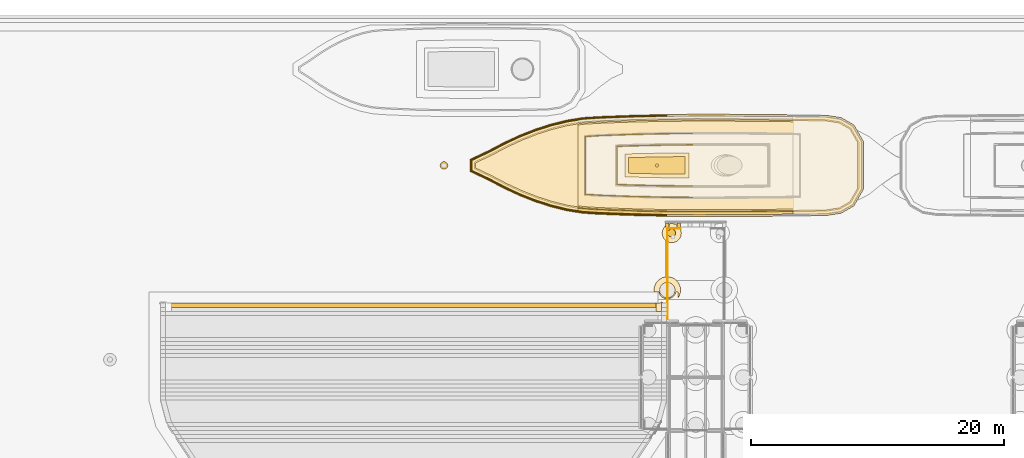
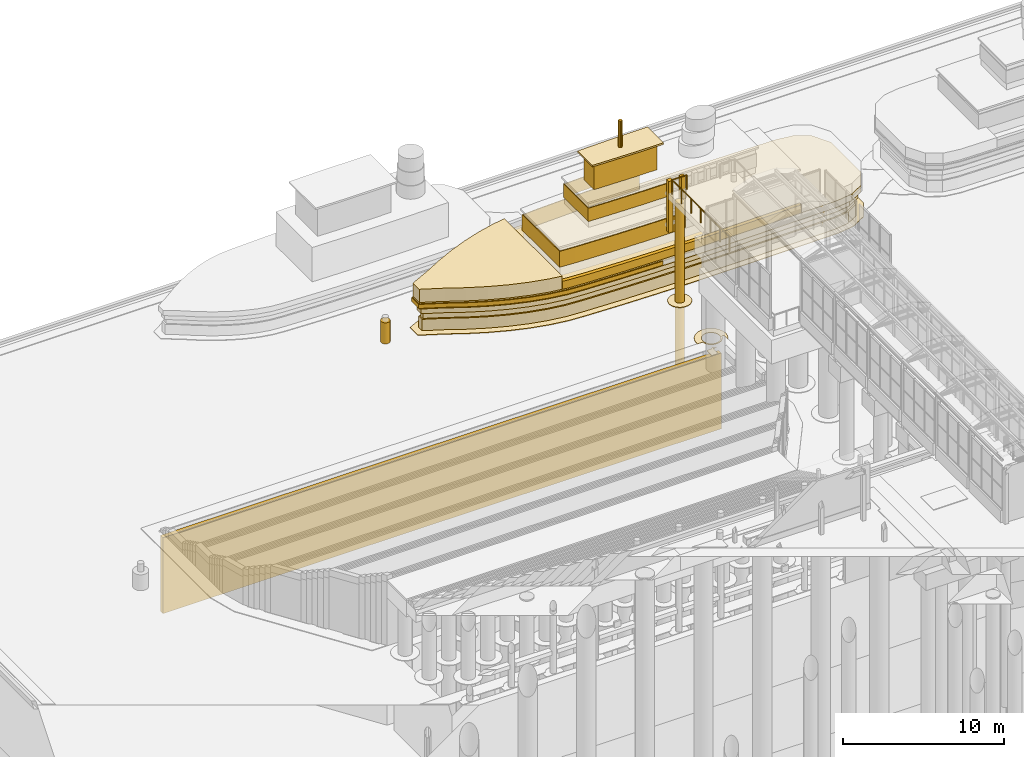
# One storey, part 182 of 222: 21 coverings, 2 railings.
"""IFC4 building model written with IfcOpenShell, lengths in metres."""

from ifc_helpers import new_model, si_unit, direction, frame, origin, origin_2d, place, context, subcontext, project, spatial, polyline, rectangle, circle, outline, extrude, material, layer, layer_set, type_object, element, save


model = new_model("IFC4")

# Units and contexts
model_context = context("Model", 3, precision=1e-05, world=origin(), true_north=direction((0.0, 1.0)))
body_context = subcontext(model_context, "Body", "Model", "MODEL_VIEW")
ifc_project = project(units=[si_unit("LENGTHUNIT", "METRE"), si_unit("AREAUNIT", "SQUARE_METRE"), si_unit("VOLUMEUNIT", "CUBIC_METRE"), si_unit("PLANEANGLEUNIT", "RADIAN"), si_unit("MASSUNIT", "GRAM", prefix="KILO")], contexts=[model_context])

# Site, building, storey
site_placement = place(None, origin())
site = spatial("IfcSite", under=ifc_project, at=site_placement, CompositionType="ELEMENT")
building_placement = place(site_placement, origin())
building = spatial("IfcBuilding", under=site, at=building_placement, Name="Sava Quay Ferry Terminal", CompositionType="ELEMENT")
storey_placement = place(building_placement, origin())
storey = spatial("IfcBuildingStorey", under=building, at=storey_placement, Name="L00", CompositionType="ELEMENT", Elevation=0.0)

# Covering
ifc_material_1 = material(Name="Steel S355", Category="steel")
ifc_layer_1 = layer(ifc_material_1, 0.030029296875)
ifc_layer_set_1 = layer_set([ifc_layer_1], Name="Steel S355")
covering_type_1 = type_object("IfcCoveringType", Name="Berth mooring dolphin 610", PredefinedType="CLADDING", material=ifc_layer_set_1)
covering_1_placement = place(storey_placement, frame((46.39990234375, 150.0, -0.449951171875), z_axis=(0.0, 0.0, -1.0), x_axis=(1.0, 0.0, 0.0)))
element("IfcCovering", 1, at=covering_1_placement, inside=storey, type_object=covering_type_1, Name="Berth mooring dolphin", PredefinedType="CLADDING", context=body_context, shape_type="SweptSolid", body=[
    extrude(circle(Radius=0.304931640625, at=origin_2d()), origin(), (0.0, 0.0, 1.0), 14.550048828125),
])

# Railings
ifc_material_2 = material(Name="Steel S355", Category="steel")
railing_type = type_object("IfcRailingType", Name="Edge guard 1100", PredefinedType="GUARDRAIL", material=ifc_material_2)
railing_1_placement = place(storey_placement, frame((46.050048828125, 143.199951171875, 0.0)))
element("IfcRailing", 2, at=railing_1_placement, inside=storey, type_object=railing_type, Name="Berth guard west side", PredefinedType="GUARDRAIL", context=body_context, shape_type="SweptSolid", body=[
    extrude(circle(Radius=0.02392578125, at=origin_2d()), frame((0.0, 0.0, 1.076171875), z_axis=(0.0, 1.0, 0.0), x_axis=(-1.0, 0.0, 0.0)), (0.0, 0.0, 1.0), 7.150146484375),
    extrude(circle(Radius=0.02099609375, at=origin_2d()), origin(), (0.0, 0.0, 1.0), 1.052001953125),
    extrude(circle(Radius=0.02099609375, at=origin_2d()), frame((0.0, 1.191650390625, 0.0)), (0.0, 0.0, 1.0), 1.052001953125),
    extrude(circle(Radius=0.02099609375, at=origin_2d()), frame((0.0, 2.38330078125, 0.0)), (0.0, 0.0, 1.0), 1.052001953125),
    extrude(circle(Radius=0.02099609375, at=origin_2d()), frame((0.0, 3.5751953125, 0.0)), (0.0, 0.0, 1.0), 1.052001953125),
    extrude(circle(Radius=0.02099609375, at=origin_2d()), frame((0.0, 4.766845703125, 0.0)), (0.0, 0.0, 1.0), 1.052001953125),
    extrude(circle(Radius=0.02099609375, at=origin_2d()), frame((0.0, 5.95849609375, 0.0)), (0.0, 0.0, 1.0), 1.052001953125),
    extrude(circle(Radius=0.02099609375, at=origin_2d()), frame((0.0, 7.150146484375, 0.0)), (0.0, 0.0, 1.0), 1.052001953125),
])
railing_2_placement = place(storey_placement, frame((46.050048828125, 150.35009765625, 0.0)))
element("IfcRailing", 3, at=railing_2_placement, inside=storey, type_object=railing_type, Name="Berth guard outer edge west", PredefinedType="GUARDRAIL", context=body_context, shape_type="SweptSolid", body=[
    extrude(circle(Radius=0.02392578125, at=origin_2d()), frame((0.0, 0.0, 1.076171875), z_axis=(1.0, 0.0, 0.0), x_axis=(0.0, 1.0, 0.0)), (0.0, 0.0, 1.0), 1.050048828125),
    extrude(circle(Radius=0.02099609375, at=origin_2d()), origin(), (0.0, 0.0, 1.0), 1.052001953125),
    extrude(circle(Radius=0.02099609375, at=origin_2d()), frame((1.050048828125, 0.0, 0.0)), (0.0, 0.0, 1.0), 1.052001953125),
])

# Coverings
ifc_material_3 = material(Name="Greenheart timber", Category="wood")
ifc_layer_2 = layer(ifc_material_3, 0.300048828125)
ifc_layer_set_2 = layer_set([ifc_layer_2], Name="Greenheart timber")
covering_type_2 = type_object("IfcCoveringType", Name="Fender post 300", PredefinedType="CLADDING", material=ifc_layer_set_2)
for number, where, z_axis, x_axis, name in (
    (4, (46.050048828125, 150.64990234375, -3.0), (0.0, 0.0, 1.0), (1.0, 0.0, 0.0), "Fender post"),
    (5, (46.949951171875, 150.64990234375, -3.0), (0.0, 0.0, 1.0), (1.0, 0.0, 0.0), "Fender post"),
):
    element("IfcCovering", number, at=place(storey_placement, frame(where, z_axis=z_axis, x_axis=x_axis)), inside=storey, type_object=covering_type_2, Name=name, PredefinedType="CLADDING", context=body_context, shape_type="SweptSolid", body=[
        extrude(rectangle(XDim=0.300048828125, YDim=0.300048828125, at=origin_2d()), origin(), (0.0, 0.0, 1.0), 3.89990234375),
    ])
ifc_material_4 = material(Name="Timber", Category="wood")
ifc_layer_3 = layer(ifc_material_4, 0.60009765625)
ifc_layer_set_3 = layer_set([ifc_layer_3], Name="Timber")
covering_type_3 = type_object("IfcCoveringType", Name="Harbour dolphin post 600", PredefinedType="CLADDING", material=ifc_layer_set_3)
covering_2_placement = place(storey_placement, frame((28.39990234375, 155.35009765625, -6.39990234375), z_axis=(0.0, 0.0, -1.0), x_axis=(1.0, 0.0, 0.0)))
element("IfcCovering", 6, at=covering_2_placement, inside=storey, type_object=covering_type_3, Name="Mooring dolphin post", PredefinedType="CLADDING", context=body_context, shape_type="SweptSolid", body=[
    extrude(circle(Radius=0.300048828125, at=origin_2d()), origin(), (0.0, 0.0, 1.0), 1.60009765625),
])
ifc_material_5 = material(Name="Water")
ifc_layer_4 = layer(ifc_material_5, 0.0400390625)
ifc_layer_set_4 = layer_set([ifc_layer_4], Name="Water")
covering_type_4 = type_object("IfcCoveringType", Name="River foam collar", PredefinedType="CLADDING", material=ifc_layer_set_4)
covering_3_placement = place(storey_placement, frame((0.0, 0.0, -8.0)))
element("IfcCovering", 7, at=covering_3_placement, inside=storey, type_object=covering_type_4, Name="River foam collar", PredefinedType="CLADDING", context=body_context, shape_type="SweptSolid", body=[
    extrude(outline(polyline([(59.783935546875, 151.56689453125), (60.802978515625, 152.14599609375), (61.550048828125, 153.4541015625), (61.550048828125, 157.24609375), (60.802978515625, 158.553955078125), (59.783935546875, 159.133056640625), (58.64599609375, 159.30810546875), (56.035888671875, 159.34912109375), (53.4619140625, 159.376953125), (50.887939453125, 159.39501953125), (48.31298828125, 159.39990234375), (45.73388671875, 159.3798828125), (43.155029296875, 159.321044921875), (40.572021484375, 159.22412109375), (39.337890625, 159.14306640625), (38.090087890625, 158.93994140625), (36.85009765625, 158.635986328125), (35.614990234375, 158.238037109375), (34.384033203125, 157.75390625), (33.156005859375, 157.18701171875), (31.952880859375, 156.552001953125), (30.449951171875, 155.837890625), (30.449951171875, 154.862060546875), (31.952880859375, 154.14794921875), (33.156005859375, 153.512939453125), (34.384033203125, 152.946044921875), (35.614990234375, 152.4619140625), (36.85009765625, 152.06396484375), (38.090087890625, 151.760009765625), (39.337890625, 151.556884765625), (40.572021484375, 151.47607421875), (43.155029296875, 151.37890625), (45.73388671875, 151.320068359375), (48.31298828125, 151.300048828125), (50.887939453125, 151.304931640625), (53.4619140625, 151.322998046875), (56.035888671875, 151.35107421875), (58.64599609375, 151.39208984375), (59.783935546875, 151.56689453125)]), holes=[polyline([(58.60791015625, 158.85791015625), (59.633056640625, 158.700927734375), (60.472900390625, 158.222900390625), (61.10009765625, 157.126953125), (61.10009765625, 153.572998046875), (60.472900390625, 152.47705078125), (59.633056640625, 151.9990234375), (58.60791015625, 151.842041015625), (56.030029296875, 151.801025390625), (53.4580078125, 151.77294921875), (50.885986328125, 151.7548828125), (48.31396484375, 151.75), (45.740966796875, 151.77001953125), (43.16796875, 151.8291015625), (40.594970703125, 151.925048828125), (39.388916015625, 152.00390625), (38.179931640625, 152.200927734375), (36.972900390625, 152.498046875), (35.76611328125, 152.885986328125), (34.56103515625, 153.360107421875), (33.35595703125, 153.916015625), (32.155029296875, 154.550048828125), (30.89990234375, 155.14697265625), (30.89990234375, 155.552978515625), (32.155029296875, 156.14990234375), (33.35595703125, 156.783935546875), (34.56103515625, 157.340087890625), (35.76611328125, 157.81396484375), (36.972900390625, 158.201904296875), (38.179931640625, 158.4990234375), (39.388916015625, 158.696044921875), (40.594970703125, 158.77490234375), (43.16796875, 158.87109375), (45.740966796875, 158.929931640625), (48.31396484375, 158.949951171875), (50.885986328125, 158.945068359375), (53.4580078125, 158.927001953125), (56.030029296875, 158.89892578125), (58.60791015625, 158.85791015625)])]), origin(), (0.0, 0.0, 1.0), 0.0400390625),
])
covering_4_placement = place(storey_placement, frame((0.0, 0.0, -8.0)))
element("IfcCovering", 8, at=covering_4_placement, inside=storey, type_object=covering_type_4, Name="River foam collar", PredefinedType="CLADDING", context=body_context, shape_type="SweptSolid", body=[
    extrude(outline(polyline([(47.02197265625, 145.096923828125), (47.08203125, 145.294921875), (47.10205078125, 145.5), (47.08203125, 145.705078125), (47.02197265625, 145.903076171875), (46.925048828125, 146.0849609375), (46.7939453125, 146.243896484375), (46.635009765625, 146.375), (46.452880859375, 146.471923828125), (46.2548828125, 146.531982421875), (46.050048828125, 146.552001953125), (45.844970703125, 146.531982421875), (45.64697265625, 146.471923828125), (45.465087890625, 146.375), (45.305908203125, 146.243896484375), (45.175048828125, 146.0849609375), (45.077880859375, 145.903076171875), (45.01806640625, 145.705078125), (44.998046875, 145.5), (45.011962890625, 145.360107421875), (45.364013671875, 145.360107421875), (45.403076171875, 145.23193359375), (45.468017578125, 145.111083984375), (45.554931640625, 145.0048828125), (45.653076171875, 144.924072265625), (45.669921875, 144.9130859375), (45.77294921875, 144.85693359375), (45.791015625, 144.85009765625), (45.9130859375, 144.81298828125), (46.050048828125, 144.800048828125), (46.177001953125, 144.81201171875), (46.196044921875, 144.81591796875), (46.318115234375, 144.85302734375), (46.43896484375, 144.91796875), (46.544921875, 145.0048828125), (46.632080078125, 145.111083984375), (46.697021484375, 145.23193359375), (46.736083984375, 145.360107421875), (46.89990234375, 145.360107421875), (46.89990234375, 144.885009765625), (46.925048828125, 144.9150390625), (47.02197265625, 145.096923828125)]), holes=[polyline([(45.6259765625, 145.075927734375), (45.551025390625, 145.1669921875), (45.49609375, 145.27001953125), (45.4619140625, 145.383056640625), (45.449951171875, 145.5), (45.4619140625, 145.616943359375), (45.49609375, 145.72998046875), (45.551025390625, 145.8330078125), (45.6259765625, 145.924072265625), (45.717041015625, 145.9990234375), (45.820068359375, 146.053955078125), (45.93310546875, 146.087890625), (46.050048828125, 146.10009765625), (46.1669921875, 146.087890625), (46.280029296875, 146.053955078125), (46.383056640625, 145.9990234375), (46.47412109375, 145.924072265625), (46.549072265625, 145.8330078125), (46.60400390625, 145.72998046875), (46.637939453125, 145.616943359375), (46.64990234375, 145.5), (46.637939453125, 145.383056640625), (46.60400390625, 145.27001953125), (46.549072265625, 145.1669921875), (46.47412109375, 145.075927734375), (46.383056640625, 145.0009765625), (46.280029296875, 144.946044921875), (46.1669921875, 144.912109375), (46.050048828125, 144.89990234375), (45.93310546875, 144.912109375), (45.820068359375, 144.946044921875), (45.717041015625, 145.0009765625), (45.6259765625, 145.075927734375)])]), origin(), (0.0, 0.0, 1.0), 0.0400390625),
])
covering_5_placement = place(storey_placement, frame((0.0, 0.0, -8.0)))
element("IfcCovering", 9, at=covering_5_placement, inside=storey, type_object=covering_type_4, Name="River foam collar", PredefinedType="CLADDING", context=body_context, shape_type="SweptSolid", body=[
    extrude(outline(polyline([(46.39990234375, 150.757080078125), (46.251953125, 150.742919921875), (46.110107421875, 150.699951171875), (45.97900390625, 150.6298828125), (45.864990234375, 150.534912109375), (45.77001953125, 150.4208984375), (45.699951171875, 150.2900390625), (45.656982421875, 150.14794921875), (45.64306640625, 150.0), (45.656982421875, 149.85205078125), (45.699951171875, 149.7099609375), (45.77001953125, 149.5791015625), (45.864990234375, 149.465087890625), (45.97900390625, 149.3701171875), (46.110107421875, 149.300048828125), (46.251953125, 149.257080078125), (46.39990234375, 149.242919921875), (46.548095703125, 149.257080078125), (46.68994140625, 149.300048828125), (46.821044921875, 149.3701171875), (46.93505859375, 149.465087890625), (47.030029296875, 149.5791015625), (47.10009765625, 149.7099609375), (47.14306640625, 149.85205078125), (47.156982421875, 150.0), (47.14306640625, 150.14794921875), (47.10009765625, 150.2900390625), (47.030029296875, 150.4208984375), (46.93505859375, 150.534912109375), (46.821044921875, 150.6298828125), (46.68994140625, 150.699951171875), (46.548095703125, 150.742919921875), (46.39990234375, 150.757080078125)]), holes=[polyline([(46.39990234375, 149.695068359375), (46.340087890625, 149.700927734375), (46.282958984375, 149.718017578125), (46.23095703125, 149.74609375), (46.18408203125, 149.783935546875), (46.14599609375, 149.8310546875), (46.117919921875, 149.883056640625), (46.10107421875, 149.93994140625), (46.094970703125, 150.0), (46.10107421875, 150.06005859375), (46.117919921875, 150.116943359375), (46.14599609375, 150.1689453125), (46.18408203125, 150.216064453125), (46.23095703125, 150.25390625), (46.282958984375, 150.281982421875), (46.340087890625, 150.299072265625), (46.39990234375, 150.304931640625), (46.4599609375, 150.299072265625), (46.51708984375, 150.281982421875), (46.569091796875, 150.25390625), (46.615966796875, 150.216064453125), (46.654052734375, 150.1689453125), (46.681884765625, 150.116943359375), (46.698974609375, 150.06005859375), (46.705078125, 150.0), (46.698974609375, 149.93994140625), (46.681884765625, 149.883056640625), (46.654052734375, 149.8310546875), (46.615966796875, 149.783935546875), (46.569091796875, 149.74609375), (46.51708984375, 149.718017578125), (46.4599609375, 149.700927734375), (46.39990234375, 149.695068359375)])]), origin(), (0.0, 0.0, 1.0), 0.0400390625),
])
covering_6_placement = place(storey_placement, frame((0.0, 0.0, -8.0)))
element("IfcCovering", 10, at=covering_6_placement, inside=storey, type_object=covering_type_4, Name="River foam collar", PredefinedType="CLADDING", context=body_context, shape_type="SweptSolid", body=[
    extrude(outline(polyline([(45.5810546875, 144.552001953125), (45.5791015625, 144.556884765625), (45.56201171875, 144.552001953125), (45.537109375, 144.537109375), (45.51708984375, 144.51611328125), (45.508056640625, 144.498046875), (45.501953125, 144.47998046875), (45.14990234375, 144.47998046875), (45.14990234375, 143.820068359375), (45.60009765625, 143.820068359375), (45.60009765625, 144.4599609375), (45.8369140625, 144.4599609375), (45.64404296875, 144.51904296875), (45.5810546875, 144.552001953125)])), origin(), (0.0, 0.0, 1.0), 0.0400390625),
])
ifc_material_6 = material(Name="Steel S355", Category="steel")
ifc_layer_5 = layer(ifc_material_6, 0.60009765625)
ifc_layer_set_5 = layer_set([ifc_layer_5], Name="Steel S355")
covering_type_5 = type_object("IfcCoveringType", Name="Vessel bulwark 600", PredefinedType="CLADDING", material=ifc_layer_set_5)
covering_7_placement = place(storey_placement, frame((0.0, 0.0, -5.60009765625)))
element("IfcCovering", 11, at=covering_7_placement, inside=storey, type_object=covering_type_5, Name="Vessel bulwark", PredefinedType="CLADDING", context=body_context, shape_type="SweptSolid", body=[
    extrude(outline(polyline([(39.35498046875, 151.7060546875), (40.5791015625, 151.625), (43.158935546875, 151.529052734375), (45.737060546875, 151.469970703125), (48.31298828125, 151.449951171875), (50.886962890625, 151.455078125), (53.4609375, 151.472900390625), (55.989990234375, 151.5009765625), (55.989990234375, 151.7509765625), (53.4580078125, 151.722900390625), (50.885986328125, 151.705078125), (48.31396484375, 151.699951171875), (45.740966796875, 151.719970703125), (43.1669921875, 151.779052734375), (40.592041015625, 151.875), (39.383056640625, 151.955078125), (39.010009765625, 152.014892578125), (39.010009765625, 151.761962890625), (39.35498046875, 151.7060546875)])), origin(), (0.0, 0.0, 1.0), 0.60009765625),
])
ifc_material_7 = material(Name="Steel S355", Category="steel")
ifc_layer_6 = layer(ifc_material_7, 0.1201171875)
ifc_layer_set_6 = layer_set([ifc_layer_6], Name="Steel S355")
covering_type_6 = type_object("IfcCoveringType", Name="Vessel deck plate 120", PredefinedType="FLOORING", material=ifc_layer_set_6)
covering_8_placement = place(storey_placement, frame((0.0, 0.0, 0.739990234375)))
element("IfcCovering", 12, at=covering_8_placement, inside=storey, type_object=covering_type_6, Name="Vessel wheelhouse roof", PredefinedType="FLOORING", context=body_context, shape_type="SweptSolid", body=[
    extrude(outline(polyline([(45.781005859375, 156.330078125), (43.2470703125, 156.27197265625), (42.699951171875, 156.251953125), (42.699951171875, 154.447998046875), (43.2470703125, 154.427978515625), (45.781005859375, 154.3701171875), (47.7548828125, 154.35498046875), (47.7548828125, 156.344970703125), (45.781005859375, 156.330078125)])), origin(), (0.0, 0.0, 1.0), 0.1201171875),
])
ifc_material_8 = material(Name="Steel S355", Category="steel")
ifc_layer_7 = layer(ifc_material_8, 0.89990234375)
ifc_layer_set_7 = layer_set([ifc_layer_7], Name="Steel S355")
covering_type_7 = type_object("IfcCoveringType", Name="Vessel forecastle 900", PredefinedType="CLADDING", material=ifc_layer_set_7)
covering_9_placement = place(storey_placement, frame((0.0, 0.0, -5.60009765625)))
element("IfcCovering", 13, at=covering_9_placement, inside=storey, type_object=covering_type_7, Name="Vessel forecastle", PredefinedType="CLADDING", context=body_context, shape_type="SweptSolid", body=[
    extrude(outline(polyline([(38.1201171875, 158.79296875), (36.89111328125, 158.490966796875), (35.6650390625, 158.096923828125), (34.443115234375, 157.615966796875), (33.222900390625, 157.052978515625), (32.02099609375, 156.41796875), (30.60009765625, 155.742919921875), (30.60009765625, 154.95703125), (32.02099609375, 154.281982421875), (33.222900390625, 153.64697265625), (34.443115234375, 153.083984375), (35.6650390625, 152.60302734375), (36.89111328125, 152.208984375), (38.1201171875, 151.906982421875), (39.0, 151.763916015625), (39.0, 158.93603515625), (38.1201171875, 158.79296875)])), origin(), (0.0, 0.0, 1.0), 1.0),
])
ifc_material_9 = material(Name="Steel S355", Category="steel")
ifc_layer_8 = layer(ifc_material_9, 1.5)
ifc_layer_set_8 = layer_set([ifc_layer_8], Name="Steel S355")
covering_type_8 = type_object("IfcCoveringType", Name="Vessel hull side", PredefinedType="CLADDING", material=ifc_layer_set_8)
covering_10_placement = place(storey_placement, frame((0.0, 0.0, -7.10009765625)))
element("IfcCovering", 14, at=covering_10_placement, inside=storey, type_object=covering_type_8, Name="Moored passenger vessel hull", PredefinedType="CLADDING", context=body_context, shape_type="SweptSolid", body=[
    extrude(outline(polyline([(61.0, 157.10009765625), (60.39990234375, 158.14990234375), (59.60009765625, 158.60498046875), (58.60009765625, 158.758056640625), (56.029052734375, 158.799072265625), (53.45703125, 158.826904296875), (50.885986328125, 158.844970703125), (48.31396484375, 158.85009765625), (45.742919921875, 158.830078125), (43.1708984375, 158.77099609375), (40.60009765625, 158.675048828125), (39.39990234375, 158.595947265625), (38.199951171875, 158.40087890625), (37.0, 158.10595703125), (35.800048828125, 157.719970703125), (34.60009765625, 157.248046875), (33.39990234375, 156.694091796875), (32.199951171875, 156.06005859375), (31.0, 155.489990234375), (31.0, 155.2099609375), (32.199951171875, 154.639892578125), (33.39990234375, 154.006103515625), (34.60009765625, 153.451904296875), (35.800048828125, 152.97998046875), (37.0, 152.593994140625), (38.199951171875, 152.299072265625), (39.39990234375, 152.10400390625), (40.60009765625, 152.02490234375), (43.1708984375, 151.928955078125), (45.742919921875, 151.8701171875), (48.31396484375, 151.85009765625), (50.885986328125, 151.85498046875), (53.45703125, 151.873046875), (56.029052734375, 151.90087890625), (58.60009765625, 151.94189453125), (59.60009765625, 152.094970703125), (60.39990234375, 152.550048828125), (61.0, 153.60009765625), (61.0, 157.10009765625)])), origin(), (0.0, 0.0, 1.0), 0.5),
])
covering_11_placement = place(storey_placement, frame((0.0, 0.0, -6.60009765625)))
element("IfcCovering", 15, at=covering_11_placement, inside=storey, type_object=covering_type_8, Name="Moored passenger vessel hull", PredefinedType="CLADDING", context=body_context, shape_type="SweptSolid", body=[
    extrude(outline(polyline([(61.199951171875, 157.153076171875), (60.5458984375, 158.297119140625), (59.6669921875, 158.797119140625), (58.616943359375, 158.9580078125), (56.031005859375, 158.9990234375), (53.458984375, 159.027099609375), (50.886962890625, 159.044921875), (48.31396484375, 159.050048828125), (45.739990234375, 159.030029296875), (43.1650390625, 158.970947265625), (40.590087890625, 158.875), (39.376953125, 158.794921875), (38.159912109375, 158.596923828125), (36.945068359375, 158.299072265625), (35.73291015625, 157.908935546875), (34.52099609375, 157.431884765625), (33.31103515625, 156.873046875), (32.110107421875, 156.239013671875), (30.800048828125, 155.615966796875), (30.800048828125, 155.083984375), (32.110107421875, 154.4609375), (33.31103515625, 153.826904296875), (34.52099609375, 153.26806640625), (35.73291015625, 152.791015625), (36.945068359375, 152.40087890625), (38.159912109375, 152.10302734375), (39.376953125, 151.905029296875), (40.590087890625, 151.824951171875), (43.1650390625, 151.72900390625), (45.739990234375, 151.669921875), (48.31396484375, 151.64990234375), (50.886962890625, 151.655029296875), (53.458984375, 151.673095703125), (56.031005859375, 151.700927734375), (58.616943359375, 151.741943359375), (59.6669921875, 151.903076171875), (60.5458984375, 152.403076171875), (61.199951171875, 153.547119140625), (61.199951171875, 157.153076171875)])), origin(), (0.0, 0.0, 1.0), 0.5),
])
covering_12_placement = place(storey_placement, frame((0.0, 0.0, -6.10009765625)))
element("IfcCovering", 16, at=covering_12_placement, inside=storey, type_object=covering_type_8, Name="Moored passenger vessel hull", PredefinedType="CLADDING", context=body_context, shape_type="SweptSolid", body=[
    extrude(outline(polyline([(61.39990234375, 157.2060546875), (60.693115234375, 158.444091796875), (59.73388671875, 158.989013671875), (58.634033203125, 159.157958984375), (56.033935546875, 159.198974609375), (53.4609375, 159.22705078125), (50.886962890625, 159.2451171875), (48.31298828125, 159.25), (45.737060546875, 159.22998046875), (43.158935546875, 159.1708984375), (40.5791015625, 159.074951171875), (39.35498046875, 158.993896484375), (38.1201171875, 158.79296875), (36.89111328125, 158.490966796875), (35.6650390625, 158.096923828125), (34.443115234375, 157.615966796875), (33.222900390625, 157.052978515625), (32.02099609375, 156.41796875), (30.60009765625, 155.742919921875), (30.60009765625, 154.95703125), (32.02099609375, 154.281982421875), (33.222900390625, 153.64697265625), (34.443115234375, 153.083984375), (35.6650390625, 152.60302734375), (36.89111328125, 152.208984375), (38.1201171875, 151.906982421875), (39.35498046875, 151.7060546875), (40.5791015625, 151.625), (43.158935546875, 151.529052734375), (45.737060546875, 151.469970703125), (48.31298828125, 151.449951171875), (50.886962890625, 151.455078125), (53.4609375, 151.472900390625), (56.033935546875, 151.5009765625), (58.634033203125, 151.5419921875), (59.73388671875, 151.7109375), (60.693115234375, 152.256103515625), (61.39990234375, 153.493896484375), (61.39990234375, 157.2060546875)])), origin(), (0.0, 0.0, 1.0), 0.5),
])
ifc_material_10 = material(Name="Steel S355", Category="steel")
ifc_layer_9 = layer(ifc_material_10, 0.25)
ifc_layer_set_9 = layer_set([ifc_layer_9], Name="Steel S355")
covering_type_9 = type_object("IfcCoveringType", Name="Vessel mast 250", PredefinedType="CLADDING", material=ifc_layer_set_9)
covering_13_placement = place(storey_placement, frame((45.2275390625, 155.35009765625, 2.860107421875), z_axis=(0.0, 0.0, -1.0), x_axis=(1.0, 0.0, 0.0)))
element("IfcCovering", 17, at=covering_13_placement, inside=storey, type_object=covering_type_9, Name="Vessel mast", PredefinedType="CLADDING", context=body_context, shape_type="SweptSolid", body=[
    extrude(circle(Radius=0.125, at=origin_2d()), origin(), (0.0, 0.0, 1.0), 2.0),
])
ifc_material_11 = material(Name="Steel S355", Category="steel")
ifc_layer_10 = layer(ifc_material_11, 0.300048828125)
ifc_layer_set_10 = layer_set([ifc_layer_10], Name="Steel S355")
covering_type_10 = type_object("IfcCoveringType", Name="Vessel rubbing strake 300", PredefinedType="CLADDING", material=ifc_layer_set_10)
covering_14_placement = place(storey_placement, frame((0.0, 0.0, -6.0)))
element("IfcCovering", 18, at=covering_14_placement, inside=storey, type_object=covering_type_10, Name="Vessel rubbing strake", PredefinedType="CLADDING", context=body_context, shape_type="SweptSolid", body=[
    extrude(outline(polyline([(45.736083984375, 151.39990234375), (46.0, 151.39794921875), (46.0, 151.468017578125), (45.737060546875, 151.469970703125), (43.158935546875, 151.529052734375), (40.5791015625, 151.625), (39.35498046875, 151.7060546875), (38.1201171875, 151.906982421875), (36.89111328125, 152.208984375), (35.6650390625, 152.60302734375), (34.443115234375, 153.083984375), (33.222900390625, 153.64697265625), (32.02099609375, 154.281982421875), (30.60009765625, 154.95703125), (30.60009765625, 155.742919921875), (32.02099609375, 156.41796875), (33.222900390625, 157.052978515625), (34.443115234375, 157.615966796875), (35.6650390625, 158.096923828125), (36.89111328125, 158.490966796875), (38.1201171875, 158.79296875), (39.35498046875, 158.993896484375), (40.5791015625, 159.074951171875), (43.158935546875, 159.1708984375), (45.737060546875, 159.22998046875), (46.0, 159.23193359375), (46.0, 159.302001953125), (45.736083984375, 159.300048828125), (43.156982421875, 159.240966796875), (40.575927734375, 159.14404296875), (39.346923828125, 159.06396484375), (38.10595703125, 158.862060546875), (36.8720703125, 158.55908203125), (35.64208984375, 158.1630859375), (34.4150390625, 157.680908203125), (33.19189453125, 157.114990234375), (31.989013671875, 156.48095703125), (30.530029296875, 155.787109375), (30.530029296875, 154.9130859375), (31.989013671875, 154.218994140625), (33.19189453125, 153.5849609375), (34.4150390625, 153.01904296875), (35.64208984375, 152.537109375), (36.8720703125, 152.14111328125), (38.10595703125, 151.837890625), (39.346923828125, 151.635986328125), (40.575927734375, 151.555908203125), (43.156982421875, 151.458984375), (45.736083984375, 151.39990234375)])), origin(), (0.0, 0.0, 1.0), 0.300048828125),
])
ifc_material_12 = material(Name="Steel S355", Category="steel")
ifc_layer_11 = layer(ifc_material_12, 0.89990234375)
ifc_layer_set_11 = layer_set([ifc_layer_11], Name="Steel S355")
covering_type_11 = type_object("IfcCoveringType", Name="Vessel waterline band 800", PredefinedType="CLADDING", material=ifc_layer_set_11)
covering_15_placement = place(storey_placement, frame((0.0, 0.0, -8.0)))
element("IfcCovering", 19, at=covering_15_placement, inside=storey, type_object=covering_type_11, Name="Vessel waterline band", PredefinedType="CLADDING", context=body_context, shape_type="SweptSolid", body=[
    extrude(outline(polyline([(61.10009765625, 157.126953125), (60.472900390625, 158.222900390625), (59.633056640625, 158.700927734375), (58.60791015625, 158.85791015625), (56.030029296875, 158.89892578125), (53.4580078125, 158.927001953125), (50.885986328125, 158.945068359375), (48.31396484375, 158.949951171875), (45.740966796875, 158.929931640625), (43.16796875, 158.87109375), (40.594970703125, 158.77490234375), (39.388916015625, 158.696044921875), (38.179931640625, 158.4990234375), (36.972900390625, 158.201904296875), (35.76611328125, 157.81396484375), (34.56103515625, 157.340087890625), (33.35595703125, 156.783935546875), (32.155029296875, 156.14990234375), (30.89990234375, 155.552978515625), (30.89990234375, 155.14697265625), (32.155029296875, 154.550048828125), (33.35595703125, 153.916015625), (34.56103515625, 153.360107421875), (35.76611328125, 152.885986328125), (36.972900390625, 152.498046875), (38.179931640625, 152.200927734375), (39.388916015625, 152.00390625), (40.594970703125, 151.925048828125), (43.16796875, 151.8291015625), (45.740966796875, 151.77001953125), (48.31396484375, 151.75), (50.885986328125, 151.7548828125), (53.4580078125, 151.77294921875), (56.030029296875, 151.801025390625), (58.60791015625, 151.842041015625), (59.633056640625, 151.9990234375), (60.472900390625, 152.47705078125), (61.10009765625, 153.572998046875), (61.10009765625, 157.126953125)])), origin(), (0.0, 0.0, 1.0), 0.89990234375),
])
ifc_material_13 = material(Name="Aluminium cladding", Category="aluminium")
ifc_layer_12 = layer(ifc_material_13, 2.60009765625)
ifc_layer_set_12 = layer_set([ifc_layer_12], Name="Aluminium cladding")
covering_type_12 = type_object("IfcCoveringType", Name="Vessel wheelhouse", PredefinedType="CLADDING", material=ifc_layer_set_12)
covering_16_placement = place(storey_placement, frame((0.0, 0.0, -1.260009765625)))
element("IfcCovering", 20, at=covering_16_placement, inside=storey, type_object=covering_type_12, Name="Vessel wheelhouse", PredefinedType="CLADDING", context=body_context, shape_type="SweptSolid", body=[
    extrude(outline(polyline([(45.785888671875, 156.030029296875), (43.256103515625, 155.972900390625), (43.0, 155.962890625), (43.0, 154.737060546875), (43.256103515625, 154.72705078125), (45.785888671875, 154.669921875), (47.455078125, 154.656982421875), (47.455078125, 156.04296875), (45.785888671875, 156.030029296875)])), origin(), (0.0, 0.0, 1.0), 2.0),
])
ifc_material_14 = material(Name="Glass", Category="glass")
ifc_layer_13 = layer(ifc_material_14, 0.06005859375)
ifc_layer_set_13 = layer_set([ifc_layer_13], Name="Glass")
covering_type_13 = type_object("IfcCoveringType", Name="Vessel window band 60", PredefinedType="CLADDING", material=ifc_layer_set_13)
covering_17_placement = place(storey_placement, frame((0.0, 0.0, -4.89990234375)))
element("IfcCovering", 21, at=covering_17_placement, inside=storey, type_object=covering_type_13, Name="Vessel window band", PredefinedType="CLADDING", context=body_context, shape_type="SweptSolid", body=[
    extrude(outline(polyline([(45.757080078125, 152.81005859375), (48.050048828125, 152.7919921875), (48.050048828125, 152.85205078125), (45.758056640625, 152.8701171875), (43.200927734375, 152.927978515625), (40.65087890625, 153.02392578125), (39.60009765625, 153.093017578125), (39.60009765625, 157.60693359375), (40.65087890625, 157.676025390625), (43.200927734375, 157.77197265625), (45.758056640625, 157.830078125), (48.050048828125, 157.847900390625), (48.050048828125, 157.907958984375), (45.757080078125, 157.889892578125), (43.199951171875, 157.83203125), (40.64794921875, 157.736083984375), (39.5400390625, 157.6630859375), (39.5400390625, 153.037109375), (40.64794921875, 152.964111328125), (43.199951171875, 152.867919921875), (45.757080078125, 152.81005859375)])), origin(), (0.0, 0.0, 1.0), 1.199951171875),
])
covering_18_placement = place(storey_placement, frame((0.0, 0.0, -2.780029296875)))
element("IfcCovering", 22, at=covering_18_placement, inside=storey, type_object=covering_type_13, Name="Vessel window band", PredefinedType="CLADDING", context=body_context, shape_type="SweptSolid", body=[
    extrude(outline(polyline([(45.77099609375, 153.7099609375), (48.050048828125, 153.69189453125), (48.050048828125, 153.751953125), (45.77197265625, 153.77001953125), (43.22900390625, 153.827880859375), (42.10009765625, 153.8701171875), (42.10009765625, 156.830078125), (43.22900390625, 156.8720703125), (45.77197265625, 156.929931640625), (48.050048828125, 156.947998046875), (48.050048828125, 157.008056640625), (45.77099609375, 156.989990234375), (43.22705078125, 156.931884765625), (42.0400390625, 156.887939453125), (42.0400390625, 153.81201171875), (43.22705078125, 153.76806640625), (45.77099609375, 153.7099609375)])), origin(), (0.0, 0.0, 1.0), 1.0),
])
ifc_material_15 = material(Name="Limestone ashlar", Category="masonry")
ifc_layer_14 = layer(ifc_material_15, 0.159912109375)
ifc_layer_set_14 = layer_set([ifc_layer_14], Name="Limestone ashlar")
covering_type_14 = type_object("IfcCoveringType", Name="Wet stair stone tread", PredefinedType="FLOORING", material=ifc_layer_set_14)
covering_19_placement = place(storey_placement, frame((0.0, 0.0, -14.0)))
element("IfcCovering", 23, at=covering_19_placement, inside=storey, type_object=covering_type_14, Name="Wet stair tread", PredefinedType="FLOORING", context=body_context, shape_type="SweptSolid", body=[
    extrude(outline(polyline([(6.0, 144.139892578125), (46.0, 144.139892578125), (46.0, 144.4599609375), (6.0, 144.4599609375), (6.0, 144.139892578125)])), origin(), (0.0, 0.0, 1.0), 5.75),
])

save(model, "model.ifc")
